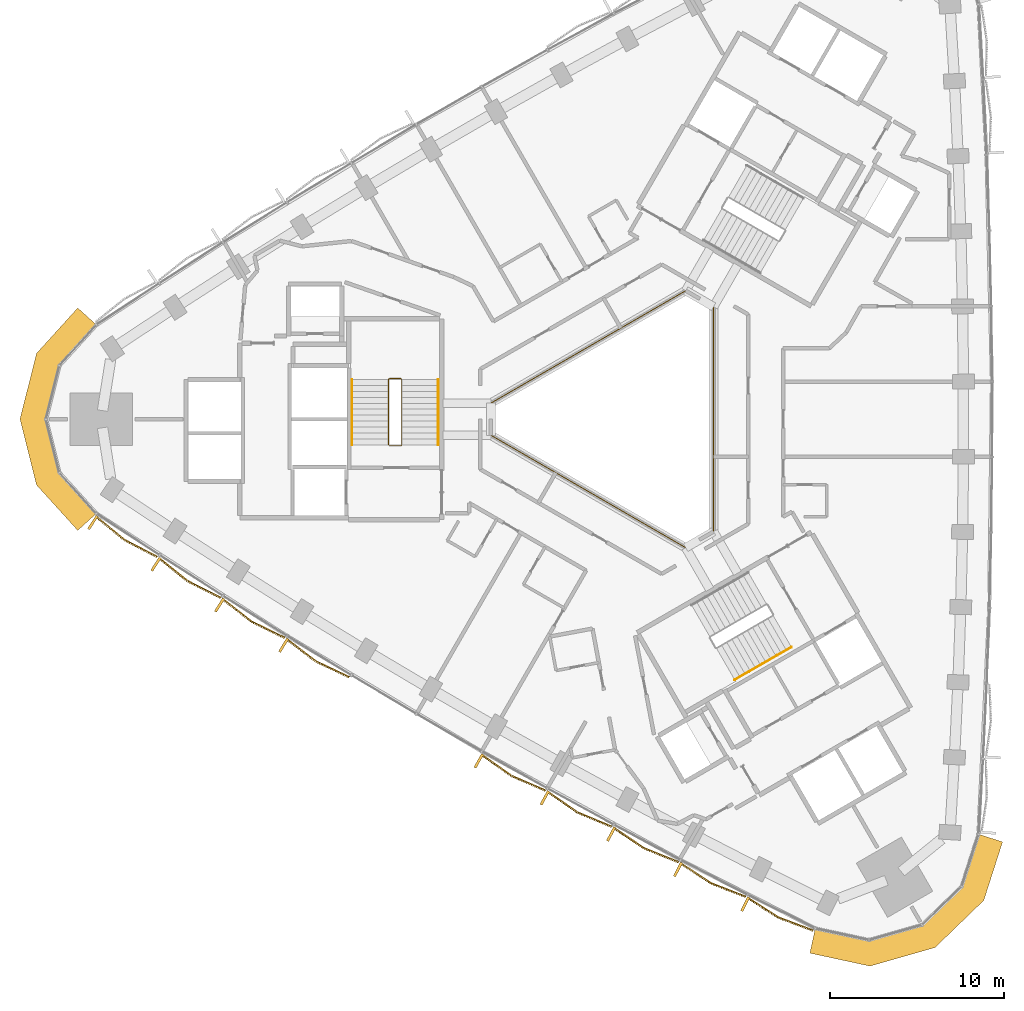
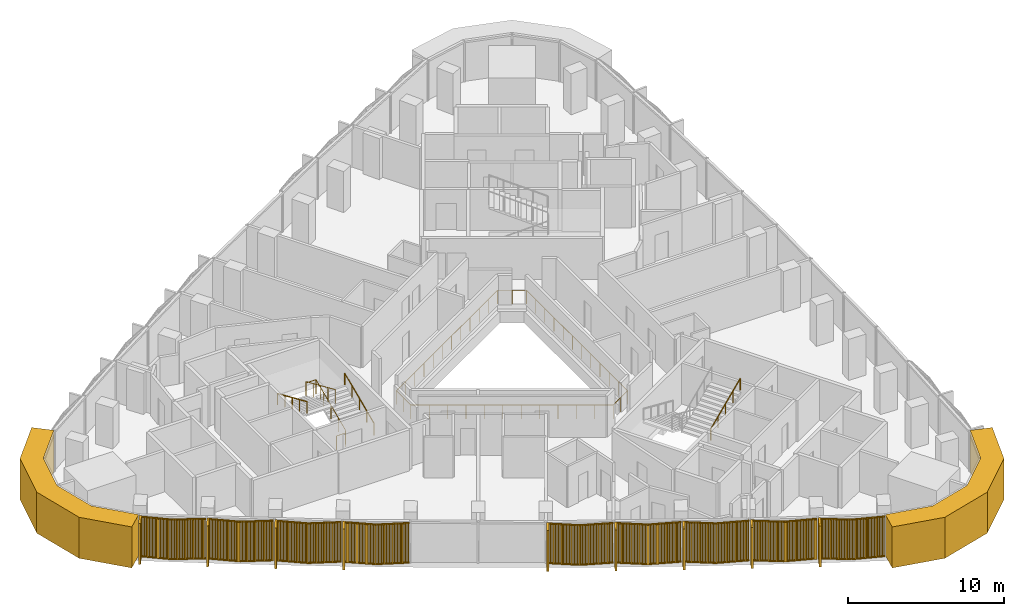
# One storey, part 13 of 15: 11 coverings, 5 railings.
"""IFC4 building model written with IfcOpenShell, lengths in metres."""

from ifc_helpers import new_model, si_unit, direction, frame, frame_2d, origin, origin_2d, place, context, subcontext, project, spatial, polyline, rectangle, circle, outline, extrude, source, transform, mapped, material, layer, layer_set, type_object, element, save


model = new_model("IFC4")

# Units and contexts
model_context = context("Model", 3, precision=1e-05, world=origin(), true_north=direction((0.0, 1.0)))
body_context = subcontext(model_context, "Body", "Model", "MODEL_VIEW")
ifc_project = project(units=[si_unit("LENGTHUNIT", "METRE"), si_unit("AREAUNIT", "SQUARE_METRE"), si_unit("VOLUMEUNIT", "CUBIC_METRE"), si_unit("PLANEANGLEUNIT", "RADIAN"), si_unit("MASSUNIT", "GRAM", prefix="KILO")], contexts=[model_context])

# Site, building, storey
site_placement = place(None, origin())
site = spatial("IfcSite", under=ifc_project, at=site_placement, CompositionType="ELEMENT")
building_placement = place(site_placement, origin())
building = spatial("IfcBuilding", under=site, at=building_placement, Name="Tamra Quay Hotel Tower", CompositionType="ELEMENT")
storey_placement = place(building_placement, frame((0.0, 0.0, 136.0)))
storey = spatial("IfcBuildingStorey", under=building, at=storey_placement, Name="L33", CompositionType="ELEMENT", Elevation=136.0)

# Coverings
ifc_material_1 = material(Name="Precast concrete M60 terracotta-coloured", Category="masonry")
ifc_layer = layer(ifc_material_1, 1.449951171875)
ifc_layer_set = layer_set([ifc_layer], Name="CORNER PIER PANEL")
covering_type_1 = type_object("IfcCoveringType", Name="CORNER PIER PANEL", PredefinedType="CLADDING", material=ifc_layer_set)
covering_1_placement = place(storey_placement, origin())
element("IfcCovering", 1, at=covering_1_placement, inside=storey, type_object=covering_type_1, Name="Corner pier L33.north-west", PredefinedType="CLADDING", context=body_context, shape_type="SweptSolid", body=[
    extrude(outline(polyline([(-30.688720703125, 5.42431640625), (-31.76318359375, 6.398193359375), (-34.13623046875, 3.780029296875), (-35.0830078125, 0.0), (-34.13623046875, -3.780029296875), (-31.76318359375, -6.398193359375), (-30.688720703125, -5.42431640625), (-32.81787109375, -3.0751953125), (-33.588134765625, 0.0), (-32.81787109375, 3.0751953125), (-30.688720703125, 5.42431640625)])), origin(), (0.0, 0.0, 1.0), 3.199951171875),
])
covering_2_placement = place(storey_placement, origin())
element("IfcCovering", 2, at=covering_2_placement, inside=storey, type_object=covering_type_1, Name="Corner pier L33.south-west", PredefinedType="CLADDING", context=body_context, shape_type="SweptSolid", body=[
    extrude(outline(polyline([(10.646728515625, -29.28955078125), (10.340576171875, -30.706787109375), (13.79443359375, -31.452880859375), (17.54150390625, -30.3828125), (20.341552734375, -27.6728515625), (21.422607421875, -24.30859375), (20.0419921875, -23.864990234375), (19.072265625, -26.883544921875), (16.794189453125, -29.088134765625), (13.74560546875, -29.958740234375), (10.646728515625, -29.28955078125)])), origin(), (0.0, 0.0, 1.0), 3.199951171875),
])

# Railings
ifc_material_2 = material(Name="Guard atrium edge 1100")
railing_type_1 = type_object("IfcRailingType", Name="Guard atrium edge 1100", PredefinedType="GUARDRAIL", material=ifc_material_2)
railing_1_placement = place(storey_placement, frame((4.800048828125, -6.466064453125, 0.0)))
element("IfcRailing", 3, at=railing_1_placement, inside=storey, type_object=railing_type_1, Name="G-A", PredefinedType="GUARDRAIL", context=body_context, shape_type="SweptSolid", body=[
    extrude(circle(Radius=0.02392578125, at=origin_2d()), frame((0.0, 0.0, 1.076171875), z_axis=(-0.86602275259, -0.500004591975, 0.0), x_axis=(0.500004591975, -0.86602275259, 0.0)), (0.0, 0.0, 1.0), 1.84765625),
    extrude(circle(Radius=0.02392578125, at=origin_2d()), frame((-1.60009765625, -0.923828125, 1.076171875), z_axis=(-0.86604129137, 0.499972480886, 0.0), x_axis=(-0.499972480886, -0.86604129137, 0.0)), (0.0, 0.0, 1.0), 12.932373046875),
    extrude(circle(Radius=0.02392578125, at=origin_2d()), frame((-12.800048828125, 5.5419921875, 1.076171875), z_axis=(0.0, 1.0, 0.0), x_axis=(-1.0, 0.0, 0.0)), (0.0, 0.0, 1.0), 1.84814453125),
    extrude(circle(Radius=0.02392578125, at=origin_2d()), frame((-12.800048828125, 7.39013671875, 1.076171875), z_axis=(0.86604129137, 0.499972480886, 0.0), x_axis=(-0.499972480886, 0.86604129137, 0.0)), (0.0, 0.0, 1.0), 12.932373046875),
    extrude(circle(Radius=0.02392578125, at=origin_2d()), frame((-1.60009765625, 13.85595703125, 1.076171875), z_axis=(0.86602275259, -0.500004591975, 0.0), x_axis=(0.500004591975, 0.86602275259, 0.0)), (0.0, 0.0, 1.0), 1.84765625),
    extrude(circle(Radius=0.02392578125, at=origin_2d()), frame((0.0, 12.93212890625, 1.076171875), z_axis=(0.0, -1.0, 0.0), x_axis=(1.0, 0.0, 0.0)), (0.0, 0.0, 1.0), 12.93212890625),
    extrude(circle(Radius=0.02099609375, at=origin_2d()), origin(), (0.0, 0.0, 1.0), 1.052001953125),
    extrude(circle(Radius=0.02099609375, at=origin_2d()), frame((-0.800048828125, -0.4619140625, 0.0)), (0.0, 0.0, 1.0), 1.052001953125),
    extrude(circle(Radius=0.02099609375, at=origin_2d()), frame((-1.60009765625, -0.923828125, 0.0)), (0.0, 0.0, 1.0), 1.052001953125),
    extrude(circle(Radius=0.02099609375, at=origin_2d()), frame((-2.6181640625, -0.3359375, 0.0)), (0.0, 0.0, 1.0), 1.052001953125),
    extrude(circle(Radius=0.02099609375, at=origin_2d()), frame((-3.636474609375, 0.251708984375, 0.0)), (0.0, 0.0, 1.0), 1.052001953125),
    extrude(circle(Radius=0.02099609375, at=origin_2d()), frame((-4.654541015625, 0.839599609375, 0.0)), (0.0, 0.0, 1.0), 1.052001953125),
    extrude(circle(Radius=0.02099609375, at=origin_2d()), frame((-5.6728515625, 1.427490234375, 0.0)), (0.0, 0.0, 1.0), 1.052001953125),
    extrude(circle(Radius=0.02099609375, at=origin_2d()), frame((-6.69091796875, 2.01513671875, 0.0)), (0.0, 0.0, 1.0), 1.052001953125),
    extrude(circle(Radius=0.02099609375, at=origin_2d()), frame((-7.709228515625, 2.60302734375, 0.0)), (0.0, 0.0, 1.0), 1.052001953125),
    extrude(circle(Radius=0.02099609375, at=origin_2d()), frame((-8.727294921875, 3.190673828125, 0.0)), (0.0, 0.0, 1.0), 1.052001953125),
    extrude(circle(Radius=0.02099609375, at=origin_2d()), frame((-9.74560546875, 3.778564453125, 0.0)), (0.0, 0.0, 1.0), 1.052001953125),
    extrude(circle(Radius=0.02099609375, at=origin_2d()), frame((-10.763671875, 4.366455078125, 0.0)), (0.0, 0.0, 1.0), 1.052001953125),
    extrude(circle(Radius=0.02099609375, at=origin_2d()), frame((-11.781982421875, 4.9541015625, 0.0)), (0.0, 0.0, 1.0), 1.052001953125),
    extrude(circle(Radius=0.02099609375, at=origin_2d()), frame((-12.800048828125, 5.5419921875, 0.0)), (0.0, 0.0, 1.0), 1.052001953125),
    extrude(circle(Radius=0.02099609375, at=origin_2d()), frame((-12.800048828125, 6.466064453125, 0.0)), (0.0, 0.0, 1.0), 1.052001953125),
    extrude(circle(Radius=0.02099609375, at=origin_2d()), frame((-12.800048828125, 7.39013671875, 0.0)), (0.0, 0.0, 1.0), 1.052001953125),
    extrude(circle(Radius=0.02099609375, at=origin_2d()), frame((-11.781982421875, 7.97802734375, 0.0)), (0.0, 0.0, 1.0), 1.052001953125),
    extrude(circle(Radius=0.02099609375, at=origin_2d()), frame((-10.763671875, 8.565673828125, 0.0)), (0.0, 0.0, 1.0), 1.052001953125),
    extrude(circle(Radius=0.02099609375, at=origin_2d()), frame((-9.74560546875, 9.153564453125, 0.0)), (0.0, 0.0, 1.0), 1.052001953125),
    extrude(circle(Radius=0.02099609375, at=origin_2d()), frame((-8.727294921875, 9.741455078125, 0.0)), (0.0, 0.0, 1.0), 1.052001953125),
    extrude(circle(Radius=0.02099609375, at=origin_2d()), frame((-7.709228515625, 10.3291015625, 0.0)), (0.0, 0.0, 1.0), 1.052001953125),
    extrude(circle(Radius=0.02099609375, at=origin_2d()), frame((-6.69091796875, 10.9169921875, 0.0)), (0.0, 0.0, 1.0), 1.052001953125),
    extrude(circle(Radius=0.02099609375, at=origin_2d()), frame((-5.6728515625, 11.504638671875, 0.0)), (0.0, 0.0, 1.0), 1.052001953125),
    extrude(circle(Radius=0.02099609375, at=origin_2d()), frame((-4.654541015625, 12.092529296875, 0.0)), (0.0, 0.0, 1.0), 1.052001953125),
    extrude(circle(Radius=0.02099609375, at=origin_2d()), frame((-3.636474609375, 12.680419921875, 0.0)), (0.0, 0.0, 1.0), 1.052001953125),
    extrude(circle(Radius=0.02099609375, at=origin_2d()), frame((-2.6181640625, 13.26806640625, 0.0)), (0.0, 0.0, 1.0), 1.052001953125),
    extrude(circle(Radius=0.02099609375, at=origin_2d()), frame((-1.60009765625, 13.85595703125, 0.0)), (0.0, 0.0, 1.0), 1.052001953125),
    extrude(circle(Radius=0.02099609375, at=origin_2d()), frame((-0.800048828125, 13.39404296875, 0.0)), (0.0, 0.0, 1.0), 1.052001953125),
    extrude(circle(Radius=0.02099609375, at=origin_2d()), frame((0.0, 12.93212890625, 0.0)), (0.0, 0.0, 1.0), 1.052001953125),
    extrude(circle(Radius=0.02099609375, at=origin_2d()), frame((0.0, 11.756591796875, 0.0)), (0.0, 0.0, 1.0), 1.052001953125),
    extrude(circle(Radius=0.02099609375, at=origin_2d()), frame((0.0, 10.580810546875, 0.0)), (0.0, 0.0, 1.0), 1.052001953125),
    extrude(circle(Radius=0.02099609375, at=origin_2d()), frame((0.0, 9.4052734375, 0.0)), (0.0, 0.0, 1.0), 1.052001953125),
    extrude(circle(Radius=0.02099609375, at=origin_2d()), frame((0.0, 8.2294921875, 0.0)), (0.0, 0.0, 1.0), 1.052001953125),
    extrude(circle(Radius=0.02099609375, at=origin_2d()), frame((0.0, 7.053955078125, 0.0)), (0.0, 0.0, 1.0), 1.052001953125),
    extrude(circle(Radius=0.02099609375, at=origin_2d()), frame((0.0, 5.878173828125, 0.0)), (0.0, 0.0, 1.0), 1.052001953125),
    extrude(circle(Radius=0.02099609375, at=origin_2d()), frame((0.0, 4.70263671875, 0.0)), (0.0, 0.0, 1.0), 1.052001953125),
    extrude(circle(Radius=0.02099609375, at=origin_2d()), frame((0.0, 3.52685546875, 0.0)), (0.0, 0.0, 1.0), 1.052001953125),
    extrude(circle(Radius=0.02099609375, at=origin_2d()), frame((0.0, 2.351318359375, 0.0)), (0.0, 0.0, 1.0), 1.052001953125),
    extrude(circle(Radius=0.02099609375, at=origin_2d()), frame((0.0, 1.175537109375, 0.0)), (0.0, 0.0, 1.0), 1.052001953125),
])
ifc_material_3 = material(Name="Stair guard 1100")
railing_type_2 = type_object("IfcRailingType", Name="Stair guard 1100", PredefinedType="GUARDRAIL", material=ifc_material_3)
railing_2_placement = place(storey_placement, frame((-13.84130859375, -1.530029296875, 0.0)))
element("IfcRailing", 4, at=railing_2_placement, inside=storey, type_object=railing_type_2, Name="GR", PredefinedType="GUARDRAIL", context=body_context, shape_type="SweptSolid", body=[
    extrude(circle(Radius=0.02392578125, at=origin_2d()), frame((0.0, 0.0, 1.076171875), z_axis=(1.0, 0.0, 0.0), x_axis=(0.0, 1.0, 0.0)), (0.0, 0.0, 1.0), 0.658935546875),
    extrude(circle(Radius=0.02392578125, at=origin_2d()), frame((0.658935546875, 0.0, 1.076171875), z_axis=(0.301912943143, 0.301912943143, 0.904266083366), x_axis=(-0.707106781187, 0.707106781187, 0.0)), (0.0, 0.0, 1.0), 0.165771484375),
    extrude(circle(Radius=0.02392578125, at=origin_2d()), frame((0.708984375, 0.050048828125, 1.22607421875), z_axis=(0.0, 0.915773634228, 0.401694723457), x_axis=(-1.0, 0.0, 0.0)), (0.0, 0.0, 1.0), 4.10791015625),
    extrude(circle(Radius=0.02392578125, at=origin_2d()), frame((0.708984375, 3.81201171875, 2.8759765625), z_axis=(-0.708833529934, 0.705375805398, 0.0), x_axis=(-0.705375805398, -0.708833529934, 0.0)), (0.0, 0.0, 1.0), 0.070556640625),
    extrude(circle(Radius=0.02392578125, at=origin_2d()), frame((0.658935546875, 3.86181640625, 2.8759765625), z_axis=(-1.0, 0.0, 0.0), x_axis=(0.0, -1.0, 0.0)), (0.0, 0.0, 1.0), 0.658935546875),
    extrude(circle(Radius=0.02392578125, at=origin_2d()), frame((0.0, 3.86181640625, 2.8759765625), z_axis=(-0.302046947789, -0.300573548044, 0.904667443621), x_axis=(0.705375805398, -0.708833529934, 0.0)), (0.0, 0.0, 1.0), 0.165771484375),
    extrude(circle(Radius=0.02392578125, at=origin_2d()), frame((-0.050048828125, 3.81201171875, 3.02587890625), z_axis=(0.0, -0.915773634228, 0.401694723457), x_axis=(1.0, 0.0, 0.0)), (0.0, 0.0, 1.0), 4.10791015625),
    extrude(circle(Radius=0.02099609375, at=origin_2d()), origin(), (0.0, 0.0, 1.0), 1.052001953125),
    extrude(circle(Radius=0.02099609375, at=origin_2d()), frame((0.658935546875, 0.0, 0.0)), (0.0, 0.0, 1.0), 1.052001953125),
    extrude(circle(Radius=0.02099609375, at=origin_2d()), frame((0.708984375, 0.050048828125, 0.14990234375)), (0.0, 0.0, 1.0), 1.052001953125),
    extrude(circle(Radius=0.02099609375, at=origin_2d()), frame((0.708984375, 0.990478515625, 0.5625)), (0.0, 0.0, 1.0), 1.052001953125),
    extrude(circle(Radius=0.02099609375, at=origin_2d()), frame((0.708984375, 1.93115234375, 0.97509765625)), (0.0, 0.0, 1.0), 1.052001953125),
    extrude(circle(Radius=0.02099609375, at=origin_2d()), frame((0.708984375, 2.87158203125, 1.387451171875)), (0.0, 0.0, 1.0), 1.052001953125),
    extrude(circle(Radius=0.02099609375, at=origin_2d()), frame((0.708984375, 3.81201171875, 1.800048828125)), (0.0, 0.0, 1.0), 1.052001953125),
    extrude(circle(Radius=0.02099609375, at=origin_2d()), frame((0.658935546875, 3.86181640625, 1.800048828125)), (0.0, 0.0, 1.0), 1.052001953125),
    extrude(circle(Radius=0.02099609375, at=origin_2d()), frame((0.0, 3.86181640625, 1.800048828125)), (0.0, 0.0, 1.0), 1.052001953125),
    extrude(circle(Radius=0.02099609375, at=origin_2d()), frame((-0.050048828125, 3.81201171875, 1.949951171875)), (0.0, 0.0, 1.0), 1.052001953125),
    extrude(circle(Radius=0.02099609375, at=origin_2d()), frame((-0.050048828125, 2.87158203125, 2.362548828125)), (0.0, 0.0, 1.0), 1.052001953125),
    extrude(circle(Radius=0.02099609375, at=origin_2d()), frame((-0.050048828125, 1.93115234375, 2.77490234375)), (0.0, 0.0, 1.0), 1.052001953125),
    extrude(circle(Radius=0.02099609375, at=origin_2d()), frame((-0.050048828125, 0.990478515625, 3.1875)), (0.0, 0.0, 1.0), 1.052001953125),
    extrude(circle(Radius=0.02099609375, at=origin_2d()), frame((-0.050048828125, 0.050048828125, 3.60009765625)), (0.0, 0.0, 1.0), 1.052001953125),
])
ifc_material_4 = material(Name="Stair handrail 900")
railing_type_3 = type_object("IfcRailingType", Name="Stair handrail 900", PredefinedType="HANDRAIL", material=ifc_material_4)
railing_3_placement = place(storey_placement, frame((-11.0322265625, -1.47998046875, 0.14990234375)))
element("IfcRailing", 5, at=railing_3_placement, inside=storey, type_object=railing_type_3, Name="HR", PredefinedType="HANDRAIL", context=body_context, shape_type="SweptSolid", body=[
    extrude(circle(Radius=0.02392578125, at=origin_2d()), frame((0.0, 0.0, 0.8759765625), z_axis=(0.0, 0.915773634228, 0.401694723457), x_axis=(-1.0, 0.0, 0.0)), (0.0, 0.0, 1.0), 4.10791015625),
    extrude(circle(Radius=0.02099609375, at=origin_2d()), origin(), (0.0, 0.0, 1.0), 0.851806640625),
    extrude(circle(Radius=0.02099609375, at=origin_2d()), frame((0.0, 0.9404296875, 0.41259765625)), (0.0, 0.0, 1.0), 0.851806640625),
    extrude(circle(Radius=0.02099609375, at=origin_2d()), frame((0.0, 1.880859375, 0.8251953125)), (0.0, 0.0, 1.0), 0.851806640625),
    extrude(circle(Radius=0.02099609375, at=origin_2d()), frame((0.0, 2.821533203125, 1.237548828125)), (0.0, 0.0, 1.0), 0.851806640625),
    extrude(circle(Radius=0.02099609375, at=origin_2d()), frame((0.0, 3.761962890625, 1.650146484375)), (0.0, 0.0, 1.0), 0.851806640625),
])
railing_4_placement = place(storey_placement, frame((-15.9912109375, 2.281982421875, 1.949951171875)))
element("IfcRailing", 6, at=railing_4_placement, inside=storey, type_object=railing_type_3, Name="HR", PredefinedType="HANDRAIL", context=body_context, shape_type="SweptSolid", body=[
    extrude(circle(Radius=0.02392578125, at=origin_2d()), frame((0.0, 0.0, 0.8759765625), z_axis=(0.0, -0.915773634228, 0.401694723457), x_axis=(1.0, 0.0, 0.0)), (0.0, 0.0, 1.0), 4.10791015625),
    extrude(circle(Radius=0.02099609375, at=origin_2d()), origin(), (0.0, 0.0, 1.0), 0.851806640625),
    extrude(circle(Radius=0.02099609375, at=origin_2d()), frame((0.0, -0.9404296875, 0.41259765625)), (0.0, 0.0, 1.0), 0.851806640625),
    extrude(circle(Radius=0.02099609375, at=origin_2d()), frame((0.0, -1.880859375, 0.8251953125)), (0.0, 0.0, 1.0), 0.851806640625),
    extrude(circle(Radius=0.02099609375, at=origin_2d()), frame((0.0, -2.821533203125, 1.237548828125)), (0.0, 0.0, 1.0), 0.851806640625),
    extrude(circle(Radius=0.02099609375, at=origin_2d()), frame((0.0, -3.761962890625, 1.650146484375)), (0.0, 0.0, 1.0), 0.851806640625),
])
railing_5_placement = place(storey_placement, frame((6.01953125, -14.98974609375, 1.949951171875)))
element("IfcRailing", 7, at=railing_5_placement, inside=storey, type_object=railing_type_3, Name="HR", PredefinedType="HANDRAIL", context=body_context, shape_type="SweptSolid", body=[
    extrude(circle(Radius=0.02392578125, at=origin_2d()), frame((0.0, 0.0, 0.8759765625), z_axis=(0.793081112945, 0.457875966286, 0.40171127416), x_axis=(-0.499992114976, 0.866029956157, 0.0)), (0.0, 0.0, 1.0), 4.10791015625),
    extrude(circle(Radius=0.02099609375, at=origin_2d()), origin(), (0.0, 0.0, 1.0), 0.851806640625),
    extrude(circle(Radius=0.02099609375, at=origin_2d()), frame((0.814453125, 0.47021484375, 0.41259765625)), (0.0, 0.0, 1.0), 0.851806640625),
    extrude(circle(Radius=0.02099609375, at=origin_2d()), frame((1.62890625, 0.9404296875, 0.8251953125)), (0.0, 0.0, 1.0), 0.851806640625),
    extrude(circle(Radius=0.02099609375, at=origin_2d()), frame((2.443359375, 1.41064453125, 1.237548828125)), (0.0, 0.0, 1.0), 0.851806640625),
    extrude(circle(Radius=0.02099609375, at=origin_2d()), frame((3.2578125, 1.880859375, 1.650146484375)), (0.0, 0.0, 1.0), 0.851806640625),
])

# Coverings
ifc_material_5 = material(Name="Terracotta baguette extruded", Category="masonry")
covering_type_2 = type_object("IfcCoveringType", Name="BAGUETTE SCREEN SW-V H3200", PredefinedType="USERDEFINED", material=ifc_material_5)
shared_shape = source(origin(), body_context, "Body", "SweptSolid", [
    extrude(rectangle(XDim=2.144287109375, YDim=0.06005859375, at=frame_2d((1.072265625, 0.030029296875))), frame((-2.138671875, -0.0576171875, -0.1201171875), z_axis=(0.0, 0.0, 1.0), x_axis=(0.994521895368, -0.104528463268, 0.0)), (0.0, 0.0, 1.0), 0.1201171875),
    extrude(rectangle(XDim=2.144287109375, YDim=0.06005859375, at=frame_2d((1.072265625, 0.030029296875))), frame((-2.138671875, -0.0576171875, -3.199951171875), z_axis=(0.0, 0.0, 1.0), x_axis=(0.994521895368, -0.104528463268, 0.0)), (0.0, 0.0, 1.0), 0.1201171875),
    extrude(rectangle(XDim=0.070068359375, YDim=0.10009765625, at=frame_2d((0.03515625, 0.050048828125))), frame((-2.11669921875, -0.13330078125, -3.139892578125)), (0.0, 0.0, 1.0), 3.080078125),
    extrude(rectangle(XDim=0.070068359375, YDim=0.10009765625, at=frame_2d((0.03515625, 0.050048828125))), frame((-2.01513671875, -0.14404296875, -3.139892578125)), (0.0, 0.0, 1.0), 3.080078125),
    extrude(rectangle(XDim=0.070068359375, YDim=0.10009765625, at=frame_2d((0.03515625, 0.050048828125))), frame((-1.91357421875, -0.15478515625, -3.139892578125)), (0.0, 0.0, 1.0), 3.080078125),
    extrude(rectangle(XDim=0.070068359375, YDim=0.10009765625, at=frame_2d((0.03515625, 0.050048828125))), frame((-1.81201171875, -0.165283203125, -3.139892578125)), (0.0, 0.0, 1.0), 3.080078125),
    extrude(rectangle(XDim=0.070068359375, YDim=0.10009765625, at=frame_2d((0.03515625, 0.050048828125))), frame((-1.71044921875, -0.176025390625, -3.139892578125)), (0.0, 0.0, 1.0), 3.080078125),
    extrude(rectangle(XDim=0.070068359375, YDim=0.10009765625, at=frame_2d((0.03515625, 0.050048828125))), frame((-1.60888671875, -0.186767578125, -3.139892578125)), (0.0, 0.0, 1.0), 3.080078125),
    extrude(rectangle(XDim=0.070068359375, YDim=0.10009765625, at=frame_2d((0.03515625, 0.050048828125))), frame((-1.50732421875, -0.197265625, -3.139892578125)), (0.0, 0.0, 1.0), 3.080078125),
    extrude(rectangle(XDim=0.070068359375, YDim=0.10009765625, at=frame_2d((0.03515625, 0.050048828125))), frame((-1.406005859375, -0.2080078125, -3.139892578125)), (0.0, 0.0, 1.0), 3.080078125),
    extrude(rectangle(XDim=0.070068359375, YDim=0.10009765625, at=frame_2d((0.03515625, 0.050048828125))), frame((-1.304443359375, -0.21875, -3.139892578125)), (0.0, 0.0, 1.0), 3.080078125),
    extrude(rectangle(XDim=0.070068359375, YDim=0.10009765625, at=frame_2d((0.03515625, 0.050048828125))), frame((-1.202880859375, -0.2294921875, -3.139892578125)), (0.0, 0.0, 1.0), 3.080078125),
    extrude(rectangle(XDim=0.070068359375, YDim=0.10009765625, at=frame_2d((0.03515625, 0.050048828125))), frame((-1.101318359375, -0.239990234375, -3.139892578125)), (0.0, 0.0, 1.0), 3.080078125),
    extrude(rectangle(XDim=0.070068359375, YDim=0.10009765625, at=frame_2d((0.03515625, 0.050048828125))), frame((-0.999755859375, -0.250732421875, -3.139892578125)), (0.0, 0.0, 1.0), 3.080078125),
    extrude(rectangle(XDim=0.070068359375, YDim=0.10009765625, at=frame_2d((0.03515625, 0.050048828125))), frame((-0.898193359375, -0.261474609375, -3.139892578125)), (0.0, 0.0, 1.0), 3.080078125),
    extrude(rectangle(XDim=0.070068359375, YDim=0.10009765625, at=frame_2d((0.03515625, 0.050048828125))), frame((-0.796630859375, -0.27197265625, -3.139892578125)), (0.0, 0.0, 1.0), 3.080078125),
    extrude(rectangle(XDim=0.070068359375, YDim=0.10009765625, at=frame_2d((0.03515625, 0.050048828125))), frame((-0.695068359375, -0.28271484375, -3.139892578125)), (0.0, 0.0, 1.0), 3.080078125),
    extrude(rectangle(XDim=0.070068359375, YDim=0.10009765625, at=frame_2d((0.03515625, 0.050048828125))), frame((-0.593505859375, -0.29345703125, -3.139892578125)), (0.0, 0.0, 1.0), 3.080078125),
    extrude(rectangle(XDim=0.070068359375, YDim=0.10009765625, at=frame_2d((0.03515625, 0.050048828125))), frame((-0.491943359375, -0.30419921875, -3.139892578125)), (0.0, 0.0, 1.0), 3.080078125),
    extrude(rectangle(XDim=0.070068359375, YDim=0.10009765625, at=frame_2d((0.03515625, 0.050048828125))), frame((-0.390380859375, -0.314697265625, -3.139892578125)), (0.0, 0.0, 1.0), 3.080078125),
    extrude(rectangle(XDim=0.070068359375, YDim=0.10009765625, at=frame_2d((0.03515625, 0.050048828125))), frame((-0.288818359375, -0.325439453125, -3.139892578125)), (0.0, 0.0, 1.0), 3.080078125),
    extrude(rectangle(XDim=0.070068359375, YDim=0.10009765625, at=frame_2d((0.03515625, 0.050048828125))), frame((-0.187255859375, -0.336181640625, -3.139892578125)), (0.0, 0.0, 1.0), 3.080078125),
    extrude(rectangle(XDim=0.070068359375, YDim=0.10009765625, at=frame_2d((0.03515625, 0.050048828125))), frame((-0.085693359375, -0.3466796875, -3.139892578125)), (0.0, 0.0, 1.0), 3.080078125),
    extrude(rectangle(XDim=2.144287109375, YDim=0.06005859375, at=frame_2d((1.072265625, 0.030029296875))), frame((0.00634765625, -0.28173828125, -0.1201171875), z_axis=(0.0, 0.0, 1.0), x_axis=(0.994521895368, 0.104528463268, 0.0)), (0.0, 0.0, 1.0), 0.1201171875),
    extrude(rectangle(XDim=2.144287109375, YDim=0.06005859375, at=frame_2d((1.072265625, 0.030029296875))), frame((0.00634765625, -0.28173828125, -3.199951171875), z_axis=(0.0, 0.0, 1.0), x_axis=(0.994521895368, 0.104528463268, 0.0)), (0.0, 0.0, 1.0), 0.1201171875),
    extrude(rectangle(XDim=0.070068359375, YDim=0.10009765625, at=frame_2d((0.03515625, 0.050048828125))), frame((0.015869140625, -0.3466796875, -3.139892578125)), (0.0, 0.0, 1.0), 3.080078125),
    extrude(rectangle(XDim=0.070068359375, YDim=0.10009765625, at=frame_2d((0.03515625, 0.050048828125))), frame((0.117431640625, -0.336181640625, -3.139892578125)), (0.0, 0.0, 1.0), 3.080078125),
    extrude(rectangle(XDim=0.070068359375, YDim=0.10009765625, at=frame_2d((0.03515625, 0.050048828125))), frame((0.21875, -0.325439453125, -3.139892578125)), (0.0, 0.0, 1.0), 3.080078125),
    extrude(rectangle(XDim=0.070068359375, YDim=0.10009765625, at=frame_2d((0.03515625, 0.050048828125))), frame((0.3203125, -0.314697265625, -3.139892578125)), (0.0, 0.0, 1.0), 3.080078125),
    extrude(rectangle(XDim=0.070068359375, YDim=0.10009765625, at=frame_2d((0.03515625, 0.050048828125))), frame((0.421875, -0.30419921875, -3.139892578125)), (0.0, 0.0, 1.0), 3.080078125),
    extrude(rectangle(XDim=0.070068359375, YDim=0.10009765625, at=frame_2d((0.03515625, 0.050048828125))), frame((0.5234375, -0.29345703125, -3.139892578125)), (0.0, 0.0, 1.0), 3.080078125),
    extrude(rectangle(XDim=0.070068359375, YDim=0.10009765625, at=frame_2d((0.03515625, 0.050048828125))), frame((0.625, -0.28271484375, -3.139892578125)), (0.0, 0.0, 1.0), 3.080078125),
    extrude(rectangle(XDim=0.070068359375, YDim=0.10009765625, at=frame_2d((0.03515625, 0.050048828125))), frame((0.7265625, -0.27197265625, -3.139892578125)), (0.0, 0.0, 1.0), 3.080078125),
    extrude(rectangle(XDim=0.070068359375, YDim=0.10009765625, at=frame_2d((0.03515625, 0.050048828125))), frame((0.828125, -0.261474609375, -3.139892578125)), (0.0, 0.0, 1.0), 3.080078125),
    extrude(rectangle(XDim=0.070068359375, YDim=0.10009765625, at=frame_2d((0.03515625, 0.050048828125))), frame((0.9296875, -0.250732421875, -3.139892578125)), (0.0, 0.0, 1.0), 3.080078125),
    extrude(rectangle(XDim=0.070068359375, YDim=0.10009765625, at=frame_2d((0.03515625, 0.050048828125))), frame((1.03125, -0.239990234375, -3.139892578125)), (0.0, 0.0, 1.0), 3.080078125),
    extrude(rectangle(XDim=0.070068359375, YDim=0.10009765625, at=frame_2d((0.03515625, 0.050048828125))), frame((1.1328125, -0.2294921875, -3.139892578125)), (0.0, 0.0, 1.0), 3.080078125),
    extrude(rectangle(XDim=0.070068359375, YDim=0.10009765625, at=frame_2d((0.03515625, 0.050048828125))), frame((1.234375, -0.21875, -3.139892578125)), (0.0, 0.0, 1.0), 3.080078125),
    extrude(rectangle(XDim=0.070068359375, YDim=0.10009765625, at=frame_2d((0.03515625, 0.050048828125))), frame((1.3359375, -0.2080078125, -3.139892578125)), (0.0, 0.0, 1.0), 3.080078125),
    extrude(rectangle(XDim=0.070068359375, YDim=0.10009765625, at=frame_2d((0.03515625, 0.050048828125))), frame((1.4375, -0.197265625, -3.139892578125)), (0.0, 0.0, 1.0), 3.080078125),
    extrude(rectangle(XDim=0.070068359375, YDim=0.10009765625, at=frame_2d((0.03515625, 0.050048828125))), frame((1.5390625, -0.186767578125, -3.139892578125)), (0.0, 0.0, 1.0), 3.080078125),
    extrude(rectangle(XDim=0.070068359375, YDim=0.10009765625, at=frame_2d((0.03515625, 0.050048828125))), frame((1.640625, -0.176025390625, -3.139892578125)), (0.0, 0.0, 1.0), 3.080078125),
    extrude(rectangle(XDim=0.070068359375, YDim=0.10009765625, at=frame_2d((0.03515625, 0.050048828125))), frame((1.7421875, -0.165283203125, -3.139892578125)), (0.0, 0.0, 1.0), 3.080078125),
    extrude(rectangle(XDim=0.070068359375, YDim=0.10009765625, at=frame_2d((0.03515625, 0.050048828125))), frame((1.84375, -0.15478515625, -3.139892578125)), (0.0, 0.0, 1.0), 3.080078125),
    extrude(rectangle(XDim=0.070068359375, YDim=0.10009765625, at=frame_2d((0.03515625, 0.050048828125))), frame((1.945068359375, -0.14404296875, -3.139892578125)), (0.0, 0.0, 1.0), 3.080078125),
    extrude(rectangle(XDim=0.070068359375, YDim=0.10009765625, at=frame_2d((0.03515625, 0.050048828125))), frame((2.046630859375, -0.13330078125, -3.139892578125)), (0.0, 0.0, 1.0), 3.080078125),
    extrude(rectangle(XDim=0.14990234375, YDim=0.902099609375, at=frame_2d((0.074951171875, 0.451171875))), frame((-2.132568359375, -0.89990234375, -3.199951171875)), (0.0, 0.0, 1.0), 3.199951171875),
])
for number, where, z_axis, x_axis, name in (
    (8, (-28.9306640625, -6.701904296875, 3.199951171875), (0.0, 0.0, 1.0), (0.834662779115, -0.550761332303, 0.0), "Baguette screen L33.SW.f00"),
    (9, (-25.29150390625, -9.072265625, 3.199951171875), (0.0, 0.0, 1.0), (0.841164110859, -0.540779935465, 0.0), "Baguette screen L33.SW.f01"),
    (10, (-21.624267578125, -11.399169921875, 3.199951171875), (0.0, 0.0, 1.0), (0.847546396231, -0.530721307501, 0.0), "Baguette screen L33.SW.f02"),
    (11, (-17.928955078125, -13.6826171875, 3.199951171875), (0.0, 0.0, 1.0), (0.853830014722, -0.520551924365, 0.0), "Baguette screen L33.SW.f03"),
    (12, (-6.6845703125, -20.264404296875, 3.199951171875), (0.0, 0.0, 1.0), (0.871942006927, -0.489609167149, 0.0), "Baguette screen L33.SW.f06"),
    (13, (-2.884765625, -22.3681640625, 3.199951171875), (0.0, 0.0, 1.0), (0.87772619785, -0.47916252108, 0.0), "Baguette screen L33.SW.f07"),
    (14, (0.940185546875, -24.4267578125, 3.199951171875), (0.0, 0.0, 1.0), (0.883391332741, -0.468636056272, 0.0), "Baguette screen L33.SW.f08"),
    (15, (4.788818359375, -26.439208984375, 3.199951171875), (0.0, 0.0, 1.0), (0.8889112174, -0.458079521023, 0.0), "Baguette screen L33.SW.f09"),
    (16, (8.661376953125, -28.40576171875, 3.199951171875), (0.0, 0.0, 1.0), (0.894304694754, -0.447458504155, 0.0), "Baguette screen L33.SW.f10"),
):
    element("IfcCovering", number, at=place(storey_placement, frame(where, z_axis=z_axis, x_axis=x_axis)), inside=storey, type_object=covering_type_2, Name=name, ObjectType="BAGUETTE SCREEN", PredefinedType="USERDEFINED", context=body_context, shape_type="MappedRepresentation", body=[
        mapped(shared_shape, transform((0.0, 0.0, 0.0), scale=1.0)),
    ])

save(model, "model.ifc")
